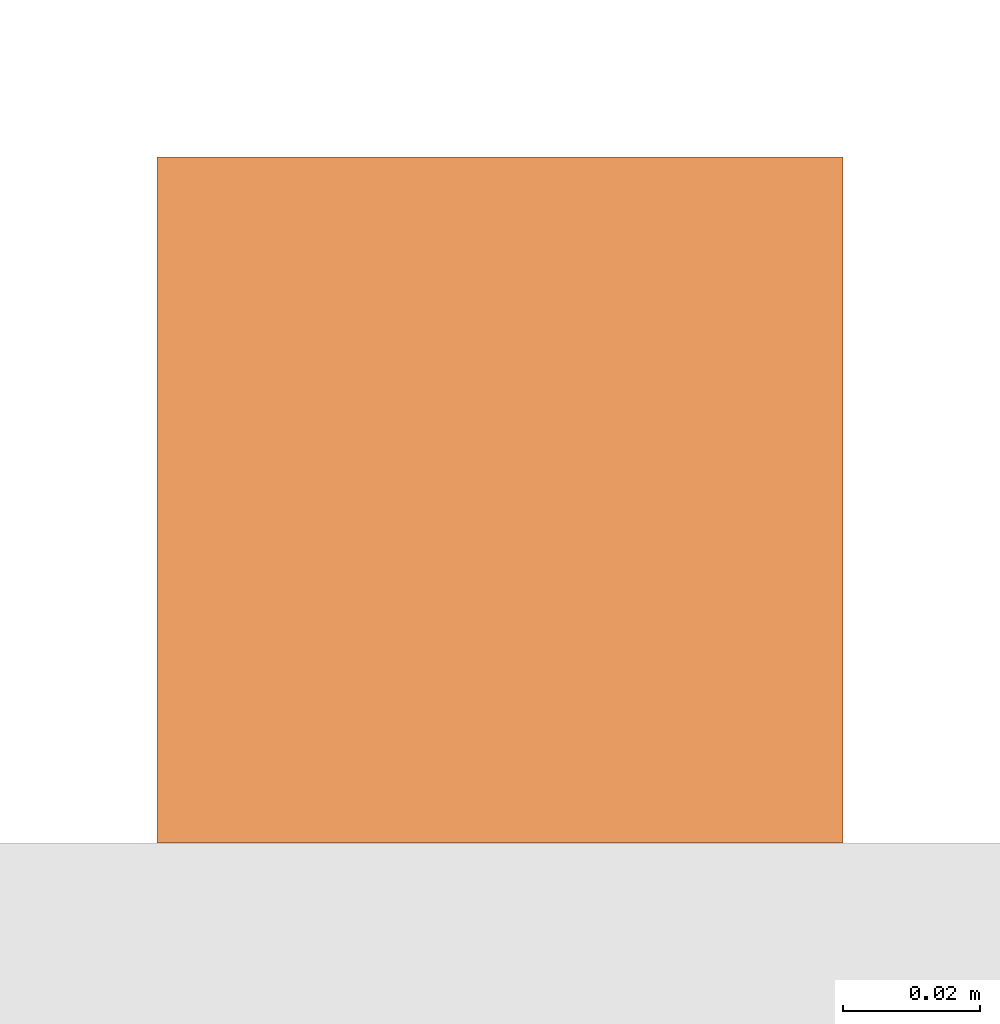
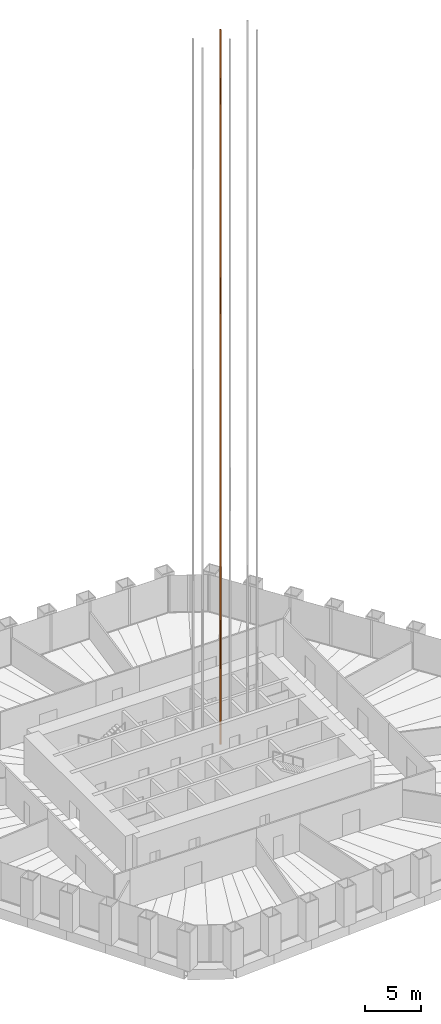
# One storey, part 18 of 20: 1 proxy.
"""IFC4 building model written with IfcOpenShell, lengths in metres."""

from ifc_helpers import new_model, si_unit, direction, frame, origin, origin_2d, place, context, subcontext, project, spatial, rectangle, extrude, material, type_object, element, save


model = new_model("IFC4")

# Units and contexts
model_context = context("Model", 3, precision=1e-05, world=origin(), true_north=direction((0.0, 1.0)))
body_context = subcontext(model_context, "Body", "Model", "MODEL_VIEW")
ifc_project = project(units=[si_unit("LENGTHUNIT", "METRE"), si_unit("AREAUNIT", "SQUARE_METRE"), si_unit("VOLUMEUNIT", "CUBIC_METRE"), si_unit("PLANEANGLEUNIT", "RADIAN"), si_unit("MASSUNIT", "GRAM", prefix="KILO")], contexts=[model_context])

# Site, building, storey
site_placement = place(None, origin())
site = spatial("IfcSite", under=ifc_project, at=site_placement, CompositionType="ELEMENT")
building_placement = place(site_placement, origin())
building = spatial("IfcBuilding", under=site, at=building_placement, Name="Qingtian Harvest Tower", CompositionType="ELEMENT")
storey_placement = place(building_placement, frame((0.0, 0.0, 103.0)))
storey = spatial("IfcBuildingStorey", under=building, at=storey_placement, Name="L20", CompositionType="ELEMENT", Elevation=103.0)

# Proxy
ifc_material = material(Name="Steel SN490B", Category="steel")
building_element_proxy_type = type_object("IfcBuildingElementProxyType", Name="Lift guide rail LR1", PredefinedType="NOTDEFINED", material=ifc_material)
proxy_placement = place(storey_placement, frame((4.699951171875, 4.375, 0.0), z_axis=(0.0, 0.0, 1.0), x_axis=(1.0, 0.0, 0.0)))
element("IfcBuildingElementProxy", 1, at=proxy_placement, inside=storey, type_object=building_element_proxy_type, Name="Lift PLB2 guide rail 2", PredefinedType="NOTDEFINED", context=body_context, shape_type="SweptSolid", body=[
    extrude(rectangle(XDim=0.10009765625, YDim=0.10009765625, at=origin_2d()), origin(), (0.0, 0.0, 1.0), 77.39990234375),
])

save(model, "model.ifc")
